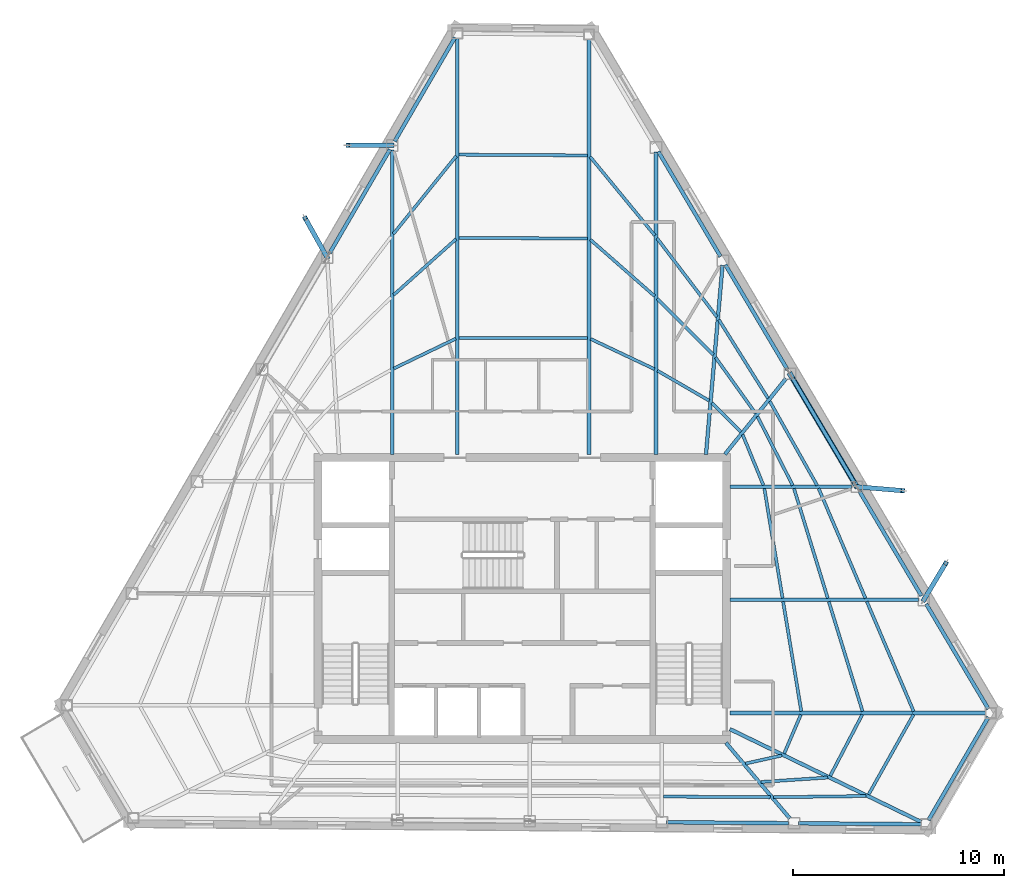
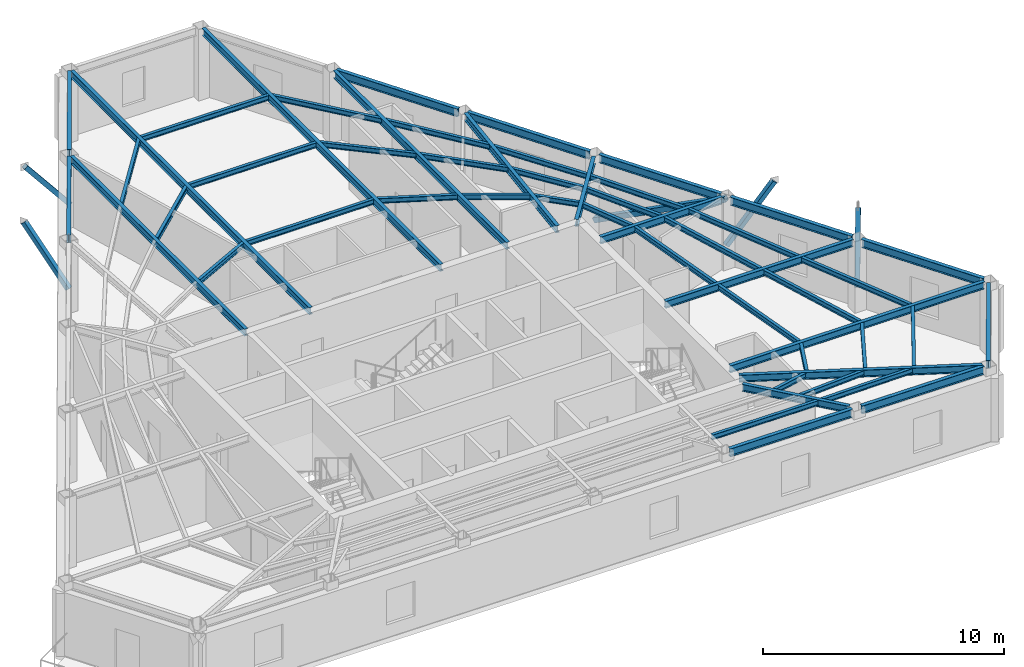
# One storey, part 2 of 10: 52 beams, 5 members.
"""IFC4 building model written with IfcOpenShell, lengths in metres."""

from ifc_helpers import new_model, si_unit, direction, frame, origin, origin_2d, place, context, subcontext, project, spatial, hollow_rectangle, i_section, extrude, material, material_profile, profile_set, type_object, element, save


model = new_model("IFC4")

# Units and contexts
model_context = context("Model", 3, precision=1e-05, world=origin(), true_north=direction((0.0, 1.0)))
body_context = subcontext(model_context, "Body", "Model", "MODEL_VIEW")
ifc_project = project(units=[si_unit("LENGTHUNIT", "METRE"), si_unit("AREAUNIT", "SQUARE_METRE"), si_unit("VOLUMEUNIT", "CUBIC_METRE"), si_unit("PLANEANGLEUNIT", "RADIAN"), si_unit("MASSUNIT", "GRAM", prefix="KILO")], contexts=[model_context])

# Site, building, storey
site_placement = place(None, origin())
site = spatial("IfcSite", under=ifc_project, at=site_placement, CompositionType="ELEMENT")
building_placement = place(site_placement, origin())
building = spatial("IfcBuilding", under=site, at=building_placement, Name="Kavelnor Concourse Tower", CompositionType="ELEMENT")
storey_placement = place(building_placement, frame((0.0, 0.0, 266.449951171875)))
storey = spatial("IfcBuildingStorey", under=building, at=storey_placement, Name="L67", CompositionType="ELEMENT", Elevation=266.449951171875)

# Beams
ifc_material = material(Name="Steel Grade 350", Category="steel")
ifc_material_profile_1 = material_profile(ifc_material, i_section(OverallWidth=0.14599609375, OverallDepth=0.256103515625, WebThickness=0.00634765625, FlangeThickness=0.010986328125, at=origin_2d()), Name="250UB37")
ifc_profile_set_1 = profile_set([ifc_material_profile_1], Name="Steel Grade 350")
beam_type_1 = type_object("IfcBeamType", Name="BM-JOIST-250", PredefinedType="JOIST", material=ifc_profile_set_1)
beam_1_placement = place(storey_placement, frame((44.714599609375, 6.69384765625, 3.48193359375), z_axis=(0.999981270377, -0.006120367293, 0.0), x_axis=(0.006120367293, 0.999981270377, 0.0)))
element("IfcBeam", 1, at=beam_1_placement, inside=storey, type_object=beam_type_1, Name="L67 Secondary Composite Joist 06-3", PredefinedType="JOIST", context=body_context, shape_type="SweptSolid", body=[
    extrude(i_section(OverallWidth=0.14599609375, OverallDepth=0.256103515625, WebThickness=0.00634765625, FlangeThickness=0.010986328125, at=origin_2d()), origin(), (0.0, 0.0, 1.0), 5.06591796875),
])
beam_2_placement = place(storey_placement, frame((48.606201171875, 8.26171875, 3.48193359375), z_axis=(0.976336486658, 0.21625694167, 0.0), x_axis=(-0.21625694167, 0.976336486658, 0.0)))
element("IfcBeam", 2, at=beam_2_placement, inside=storey, type_object=beam_type_1, Name="L67 Secondary Composite Joist 07-1", PredefinedType="JOIST", context=body_context, shape_type="SweptSolid", body=[
    extrude(i_section(OverallWidth=0.14599609375, OverallDepth=0.256103515625, WebThickness=0.00634765625, FlangeThickness=0.010986328125, at=origin_2d()), origin(), (0.0, 0.0, 1.0), 1.765625),
])
beam_3_placement = place(storey_placement, frame((49.3369140625, 7.38671875, 3.48193359375), z_axis=(0.99780853163, 0.066167470903, 0.0), x_axis=(-0.066167470903, 0.99780853163, 0.0)))
element("IfcBeam", 3, at=beam_3_placement, inside=storey, type_object=beam_type_1, Name="L67 Secondary Composite Joist 07-2", PredefinedType="JOIST", context=body_context, shape_type="SweptSolid", body=[
    extrude(i_section(OverallWidth=0.14599609375, OverallDepth=0.256103515625, WebThickness=0.00634765625, FlangeThickness=0.010986328125, at=origin_2d()), origin(), (0.0, 0.0, 1.0), 3.1806640625),
])
beam_4_placement = place(storey_placement, frame((49.944580078125, 6.663330078125, 3.48193359375), z_axis=(0.999918703458, 0.012750940143, 0.0), x_axis=(-0.012750940143, 0.999918703458, 0.0)))
element("IfcBeam", 4, at=beam_4_placement, inside=storey, type_object=beam_type_1, Name="L67 Secondary Composite Joist 07-3", PredefinedType="JOIST", context=body_context, shape_type="SweptSolid", body=[
    extrude(i_section(OverallWidth=0.14599609375, OverallDepth=0.256103515625, WebThickness=0.00634765625, FlangeThickness=0.010986328125, at=origin_2d()), origin(), (0.0, 0.0, 1.0), 4.384521484375),
])
beam_5_placement = place(storey_placement, frame((50.4423828125, 8.736572265625, 3.48193359375), z_axis=(0.394343803871, 0.918962983122, 0.0), x_axis=(-0.918962983122, 0.394343803871, 0.0)))
element("IfcBeam", 5, at=beam_5_placement, inside=storey, type_object=beam_type_1, Name="L67 Secondary Composite Joist 08-1", PredefinedType="JOIST", context=body_context, shape_type="SweptSolid", body=[
    extrude(i_section(OverallWidth=0.14599609375, OverallDepth=0.256103515625, WebThickness=0.00634765625, FlangeThickness=0.010986328125, at=origin_2d()), origin(), (0.0, 0.0, 1.0), 2.0126953125),
])
beam_6_placement = place(storey_placement, frame((52.63037109375, 7.67529296875, 3.48193359375), z_axis=(0.462977126102, 0.886370227787, 0.0), x_axis=(-0.886370227787, 0.462977126102, 0.0)))
element("IfcBeam", 6, at=beam_6_placement, inside=storey, type_object=beam_type_1, Name="L67 Secondary Composite Joist 08-2", PredefinedType="JOIST", context=body_context, shape_type="SweptSolid", body=[
    extrude(i_section(OverallWidth=0.14599609375, OverallDepth=0.256103515625, WebThickness=0.00634765625, FlangeThickness=0.010986328125, at=origin_2d()), origin(), (0.0, 0.0, 1.0), 3.287353515625),
])
beam_7_placement = place(storey_placement, frame((54.450927734375, 6.791748046875, 3.48193359375), z_axis=(0.489776937675, 0.871847779903, 0.0), x_axis=(-0.871847779903, 0.489776937675, 0.0)))
element("IfcBeam", 7, at=beam_7_placement, inside=storey, type_object=beam_type_1, Name="L67 Secondary Composite Joist 08-3", PredefinedType="JOIST", context=body_context, shape_type="SweptSolid", body=[
    extrude(i_section(OverallWidth=0.14599609375, OverallDepth=0.256103515625, WebThickness=0.00634765625, FlangeThickness=0.010986328125, at=origin_2d()), origin(), (0.0, 0.0, 1.0), 4.356689453125),
])
beam_8_placement = place(storey_placement, frame((51.255126953125, 10.74267578125, 3.48193359375), z_axis=(-0.163536685821, 0.986537253423, 0.0), x_axis=(-0.986537253423, -0.163536685821, 0.0)))
element("IfcBeam", 8, at=beam_8_placement, inside=storey, type_object=beam_type_1, Name="L67 Secondary Composite Joist 09-1", PredefinedType="JOIST", context=body_context, shape_type="SweptSolid", body=[
    extrude(i_section(OverallWidth=0.14599609375, OverallDepth=0.256103515625, WebThickness=0.00634765625, FlangeThickness=0.010986328125, at=origin_2d()), origin(), (0.0, 0.0, 1.0), 5.2802734375),
])
beam_9_placement = place(storey_placement, frame((54.166015625, 10.739990234375, 3.48193359375), z_axis=(-0.294221058779, 0.955737395193, 0.0), x_axis=(-0.955737395193, -0.294221058779, 0.0)))
element("IfcBeam", 9, at=beam_9_placement, inside=storey, type_object=beam_type_1, Name="L67 Secondary Composite Joist 09-2", PredefinedType="JOIST", context=body_context, shape_type="SweptSolid", body=[
    extrude(i_section(OverallWidth=0.14599609375, OverallDepth=0.256103515625, WebThickness=0.00634765625, FlangeThickness=0.010986328125, at=origin_2d()), origin(), (0.0, 0.0, 1.0), 5.455810546875),
])
beam_10_placement = place(storey_placement, frame((56.5927734375, 10.737060546875, 3.48193359375), z_axis=(-0.392147978817, 0.919902148443, 0.0), x_axis=(-0.919902148443, -0.392147978817, 0.0)))
element("IfcBeam", 10, at=beam_10_placement, inside=storey, type_object=beam_type_1, Name="L67 Secondary Composite Joist 09-3", PredefinedType="JOIST", context=body_context, shape_type="SweptSolid", body=[
    extrude(i_section(OverallWidth=0.14599609375, OverallDepth=0.256103515625, WebThickness=0.00634765625, FlangeThickness=0.010986328125, at=origin_2d()), origin(), (0.0, 0.0, 1.0), 5.6748046875),
])
beam_11_placement = place(storey_placement, frame((50.36474609375, 16.113525390625, 3.48193359375), z_axis=(-0.163536685821, 0.986537253423, 0.0), x_axis=(-0.986537253423, -0.163536685821, 0.0)))
element("IfcBeam", 11, at=beam_11_placement, inside=storey, type_object=beam_type_1, Name="L67 Secondary Composite Joist 10-1", PredefinedType="JOIST", context=body_context, shape_type="SweptSolid", body=[
    extrude(i_section(OverallWidth=0.14599609375, OverallDepth=0.256103515625, WebThickness=0.00634765625, FlangeThickness=0.010986328125, at=origin_2d()), origin(), (0.0, 0.0, 1.0), 5.2802734375),
])
beam_12_placement = place(storey_placement, frame((52.512451171875, 16.111083984375, 3.48193359375), z_axis=(-0.294274517833, 0.955720936338, 0.0), x_axis=(-0.955720936338, -0.294274517833, 0.0)))
element("IfcBeam", 12, at=beam_12_placement, inside=storey, type_object=beam_type_1, Name="L67 Secondary Composite Joist 10-2", PredefinedType="JOIST", context=body_context, shape_type="SweptSolid", body=[
    extrude(i_section(OverallWidth=0.14599609375, OverallDepth=0.256103515625, WebThickness=0.00634765625, FlangeThickness=0.010986328125, at=origin_2d()), origin(), (0.0, 0.0, 1.0), 5.45556640625),
])
beam_13_placement = place(storey_placement, frame((54.30322265625, 16.108154296875, 3.48193359375), z_axis=(-0.392147978817, 0.919902148443, 0.0), x_axis=(-0.919902148443, -0.392147978817, 0.0)))
element("IfcBeam", 13, at=beam_13_placement, inside=storey, type_object=beam_type_1, Name="L67 Secondary Composite Joist 10-3", PredefinedType="JOIST", context=body_context, shape_type="SweptSolid", body=[
    extrude(i_section(OverallWidth=0.14599609375, OverallDepth=0.256103515625, WebThickness=0.00634765625, FlangeThickness=0.010986328125, at=origin_2d()), origin(), (0.0, 0.0, 1.0), 5.6748046875),
])
beam_14_placement = place(storey_placement, frame((49.45654296875, 21.4794921875, 3.48193359375), z_axis=(-0.379793789357, 0.925071174324, 0.0), x_axis=(-0.925071174324, -0.379793789357, 0.0)))
element("IfcBeam", 14, at=beam_14_placement, inside=storey, type_object=beam_type_1, Name="L67 Secondary Composite Joist 11-1", PredefinedType="JOIST", context=body_context, shape_type="SweptSolid", body=[
    extrude(i_section(OverallWidth=0.14599609375, OverallDepth=0.256103515625, WebThickness=0.00634765625, FlangeThickness=0.010986328125, at=origin_2d()), origin(), (0.0, 0.0, 1.0), 2.594970703125),
])
beam_15_placement = place(storey_placement, frame((50.845703125, 21.476806640625, 3.48193359375), z_axis=(-0.455332434114, 0.890321500607, 0.0), x_axis=(-0.890321500607, -0.455332434114, 0.0)))
element("IfcBeam", 15, at=beam_15_placement, inside=storey, type_object=beam_type_1, Name="L67 Secondary Composite Joist 11-2", PredefinedType="JOIST", context=body_context, shape_type="SweptSolid", body=[
    extrude(i_section(OverallWidth=0.14599609375, OverallDepth=0.256103515625, WebThickness=0.00634765625, FlangeThickness=0.010986328125, at=origin_2d()), origin(), (0.0, 0.0, 1.0), 3.67236328125),
])
beam_16_placement = place(storey_placement, frame((52.005615234375, 21.47509765625, 3.48193359375), z_axis=(-0.490827783953, 0.871256613461, 0.0), x_axis=(-0.871256613461, -0.490827783953, 0.0)))
element("IfcBeam", 16, at=beam_16_placement, inside=storey, type_object=beam_type_1, Name="L67 Secondary Composite Joist 11-3", PredefinedType="JOIST", context=body_context, shape_type="SweptSolid", body=[
    extrude(i_section(OverallWidth=0.14599609375, OverallDepth=0.256103515625, WebThickness=0.00634765625, FlangeThickness=0.010986328125, at=origin_2d()), origin(), (0.0, 0.0, 1.0), 4.58203125),
])
beam_17_placement = place(storey_placement, frame((48.382080078125, 24.01416015625, 3.48193359375), z_axis=(-0.705102238226, 0.709105657606, 0.0), x_axis=(-0.709105657606, -0.705102238226, 0.0)))
element("IfcBeam", 17, at=beam_17_placement, inside=storey, type_object=beam_type_1, Name="L67 Secondary Composite Joist 12-1", PredefinedType="JOIST", context=body_context, shape_type="SweptSolid", body=[
    extrude(i_section(OverallWidth=0.14599609375, OverallDepth=0.256103515625, WebThickness=0.00634765625, FlangeThickness=0.010986328125, at=origin_2d()), origin(), (0.0, 0.0, 1.0), 1.951416015625),
])
beam_18_placement = place(storey_placement, frame((49.08837890625, 24.885986328125, 3.48193359375), z_axis=(-0.581972258556, 0.813208638832, 0.0), x_axis=(-0.813208638832, -0.581972258556, 0.0)))
element("IfcBeam", 18, at=beam_18_placement, inside=storey, type_object=beam_type_1, Name="L67 Secondary Composite Joist 12-2", PredefinedType="JOIST", context=body_context, shape_type="SweptSolid", body=[
    extrude(i_section(OverallWidth=0.14599609375, OverallDepth=0.256103515625, WebThickness=0.00634765625, FlangeThickness=0.010986328125, at=origin_2d()), origin(), (0.0, 0.0, 1.0), 3.27099609375),
])
beam_19_placement = place(storey_placement, frame((49.673095703125, 25.608154296875, 3.48193359375), z_axis=(-0.53048735898, 0.847692846474, 0.0), x_axis=(-0.847692846474, -0.53048735898, 0.0)))
element("IfcBeam", 19, at=beam_19_placement, inside=storey, type_object=beam_type_1, Name="L67 Secondary Composite Joist 12-3", PredefinedType="JOIST", context=body_context, shape_type="SweptSolid", body=[
    extrude(i_section(OverallWidth=0.14599609375, OverallDepth=0.256103515625, WebThickness=0.00634765625, FlangeThickness=0.010986328125, at=origin_2d()), origin(), (0.0, 0.0, 1.0), 4.40234375),
])
beam_20_placement = place(storey_placement, frame((46.87744140625, 25.497314453125, 3.48193359375), z_axis=(-0.865249363334, 0.501341738986, 0.0), x_axis=(-0.501341738986, -0.865249363334, 0.0)))
element("IfcBeam", 20, at=beam_20_placement, inside=storey, type_object=beam_type_1, Name="L67 Secondary Composite Joist 13-1", PredefinedType="JOIST", context=body_context, shape_type="SweptSolid", body=[
    extrude(i_section(OverallWidth=0.14599609375, OverallDepth=0.256103515625, WebThickness=0.00634765625, FlangeThickness=0.010986328125, at=origin_2d()), origin(), (0.0, 0.0, 1.0), 2.835205078125),
])
beam_21_placement = place(storey_placement, frame((47.0791015625, 27.670654296875, 3.48193359375), z_axis=(-0.705910626434, 0.708300915916, 0.0), x_axis=(-0.708300915916, -0.705910626434, 0.0)))
element("IfcBeam", 21, at=beam_21_placement, inside=storey, type_object=beam_type_1, Name="L67 Secondary Composite Joist 13-2", PredefinedType="JOIST", context=body_context, shape_type="SweptSolid", body=[
    extrude(i_section(OverallWidth=0.14599609375, OverallDepth=0.256103515625, WebThickness=0.00634765625, FlangeThickness=0.010986328125, at=origin_2d()), origin(), (0.0, 0.0, 1.0), 3.779052734375),
])
beam_22_placement = place(storey_placement, frame((47.244384765625, 29.474853515625, 3.48193359375), z_axis=(-0.605262588184, 0.796025878565, 0.0), x_axis=(-0.796025878565, -0.605262588184, 0.0)))
element("IfcBeam", 22, at=beam_22_placement, inside=storey, type_object=beam_type_1, Name="L67 Secondary Composite Joist 13-3", PredefinedType="JOIST", context=body_context, shape_type="SweptSolid", body=[
    extrude(i_section(OverallWidth=0.14599609375, OverallDepth=0.256103515625, WebThickness=0.00634765625, FlangeThickness=0.010986328125, at=origin_2d()), origin(), (0.0, 0.0, 1.0), 4.6943359375),
])
beam_23_placement = place(storey_placement, frame((44.279296875, 26.994873046875, 3.48193359375), z_axis=(-0.903997075176, 0.427538639274, 0.0), x_axis=(-0.427538639274, -0.903997075176, 0.0)))
element("IfcBeam", 23, at=beam_23_placement, inside=storey, type_object=beam_type_1, Name="L67 Secondary Composite Joist 14-1", PredefinedType="JOIST", context=body_context, shape_type="SweptSolid", body=[
    extrude(i_section(OverallWidth=0.14599609375, OverallDepth=0.256103515625, WebThickness=0.00634765625, FlangeThickness=0.010986328125, at=origin_2d()), origin(), (0.0, 0.0, 1.0), 3.353759765625),
])
beam_24_placement = place(storey_placement, frame((44.291748046875, 30.459716796875, 3.48193359375), z_axis=(-0.751356036185, 0.659897042643, 0.0), x_axis=(-0.659897042643, -0.751356036185, 0.0)))
element("IfcBeam", 24, at=beam_24_placement, inside=storey, type_object=beam_type_1, Name="L67 Secondary Composite Joist 14-2", PredefinedType="JOIST", context=body_context, shape_type="SweptSolid", body=[
    extrude(i_section(OverallWidth=0.14599609375, OverallDepth=0.256103515625, WebThickness=0.00634765625, FlangeThickness=0.010986328125, at=origin_2d()), origin(), (0.0, 0.0, 1.0), 4.068115234375),
])
beam_25_placement = place(storey_placement, frame((44.30126953125, 33.340087890625, 3.48193359375), z_axis=(-0.635127457728, 0.772407348774, 0.0), x_axis=(-0.772407348774, -0.635127457728, 0.0)))
element("IfcBeam", 25, at=beam_25_placement, inside=storey, type_object=beam_type_1, Name="L67 Secondary Composite Joist 14-3", PredefinedType="JOIST", context=body_context, shape_type="SweptSolid", body=[
    extrude(i_section(OverallWidth=0.14599609375, OverallDepth=0.256103515625, WebThickness=0.00634765625, FlangeThickness=0.010986328125, at=origin_2d()), origin(), (0.0, 0.0, 1.0), 4.842529296875),
])
for number, where, z_axis, x_axis, name in (
    (26, (41.09130859375, 28.4638671875, 3.48193359375), (-0.999997478922, 0.002245473308, 0.0), (-0.002245473308, -0.999997478922, 0.0), "L67 Secondary Composite Joist 15-1"),
    (27, (41.09130859375, 33.19873046875, 3.48193359375), (-0.999991304933, 0.004170138968, 0.0), (-0.004170138968, -0.999991304933, 0.0), "L67 Secondary Composite Joist 15-2"),
    (28, (41.09130859375, 37.144287109375, 3.48193359375), (-0.999983330366, 0.005773992525, 0.0), (-0.005773992525, -0.999983330366, 0.0), "L67 Secondary Composite Joist 15-3"),
):
    element("IfcBeam", number, at=place(storey_placement, frame(where, z_axis=z_axis, x_axis=x_axis)), inside=storey, type_object=beam_type_1, Name=name, PredefinedType="JOIST", context=body_context, shape_type="SweptSolid", body=[
        extrude(i_section(OverallWidth=0.14599609375, OverallDepth=0.256103515625, WebThickness=0.00634765625, FlangeThickness=0.010986328125, at=origin_2d()), origin(), (0.0, 0.0, 1.0), 6.088623046875),
    ])
beam_26_placement = place(storey_placement, frame((34.8466796875, 28.442138671875, 3.48193359375), z_axis=(-0.900948665967, -0.43392568637, 0.0), x_axis=(0.43392568637, -0.900948665967, 0.0)))
element("IfcBeam", 29, at=beam_26_placement, inside=storey, type_object=beam_type_1, Name="L67 Secondary Composite Joist 16-1", PredefinedType="JOIST", context=body_context, shape_type="SweptSolid", body=[
    extrude(i_section(OverallWidth=0.14599609375, OverallDepth=0.256103515625, WebThickness=0.00634765625, FlangeThickness=0.010986328125, at=origin_2d()), origin(), (0.0, 0.0, 1.0), 3.267822265625),
])
beam_27_placement = place(storey_placement, frame((34.859619140625, 33.169677734375, 3.48193359375), z_axis=(-0.745319831543, -0.666707093639, 0.0), x_axis=(0.666707093639, -0.745319831543, 0.0)))
element("IfcBeam", 30, at=beam_27_placement, inside=storey, type_object=beam_type_1, Name="L67 Secondary Composite Joist 16-2", PredefinedType="JOIST", context=body_context, shape_type="SweptSolid", body=[
    extrude(i_section(OverallWidth=0.14599609375, OverallDepth=0.256103515625, WebThickness=0.00634765625, FlangeThickness=0.010986328125, at=origin_2d()), origin(), (0.0, 0.0, 1.0), 3.984619140625),
])
beam_28_placement = place(storey_placement, frame((34.869140625, 37.1162109375, 3.48193359375), z_axis=(-0.628180627062, -0.778067541916, 0.0), x_axis=(0.778067541916, -0.628180627062, 0.0)))
element("IfcBeam", 31, at=beam_28_placement, inside=storey, type_object=beam_type_1, Name="L67 Secondary Composite Joist 16-3", PredefinedType="JOIST", context=body_context, shape_type="SweptSolid", body=[
    extrude(i_section(OverallWidth=0.14599609375, OverallDepth=0.256103515625, WebThickness=0.00634765625, FlangeThickness=0.010986328125, at=origin_2d()), origin(), (0.0, 0.0, 1.0), 4.7578125),
])
ifc_material_profile_2 = material_profile(ifc_material, i_section(OverallWidth=0.172119140625, OverallDepth=0.35888671875, WebThickness=0.008056640625, FlangeThickness=0.012939453125, at=origin_2d()), Name="360UB56")
ifc_profile_set_2 = profile_set([ifc_material_profile_2], Name="Steel Grade 350")
beam_type_2 = type_object("IfcBeamType", Name="BM-PRIMARY-360", PredefinedType="BEAM", material=ifc_profile_set_2)
beam_29_placement = place(storey_placement, frame((34.920654296875, 22.93994140625, 3.4306640625), z_axis=(0.0, 1.0, 0.0), x_axis=(-1.0, 0.0, 0.0)))
element("IfcBeam", 32, at=beam_29_placement, inside=storey, type_object=beam_type_2, Name="L67 Primary Floor Girder F0-B0", PredefinedType="BEAM", context=body_context, shape_type="SweptSolid", body=[
    extrude(i_section(OverallWidth=0.172119140625, OverallDepth=0.35888671875, WebThickness=0.008056640625, FlangeThickness=0.012939453125, at=origin_2d()), origin(), (0.0, 0.0, 1.0), 19.77783203125),
])
beam_30_placement = place(storey_placement, frame((31.828857421875, 22.93994140625, 3.4306640625), z_axis=(0.0, 1.0, 0.0), x_axis=(-1.0, 0.0, 0.0)))
element("IfcBeam", 33, at=beam_30_placement, inside=storey, type_object=beam_type_2, Name="L67 Primary Floor Girder F0-B1", PredefinedType="BEAM", context=body_context, shape_type="SweptSolid", body=[
    extrude(i_section(OverallWidth=0.172119140625, OverallDepth=0.35888671875, WebThickness=0.008056640625, FlangeThickness=0.012939453125, at=origin_2d()), origin(), (0.0, 0.0, 1.0), 14.458984375),
])
beam_31_placement = place(storey_placement, frame((47.67578125, 9.25048828125, 3.4306640625), z_axis=(0.645374614215, -0.763866223449, 0.0), x_axis=(0.763866223449, 0.645374614215, 0.0)))
element("IfcBeam", 34, at=beam_31_placement, inside=storey, type_object=beam_type_2, Name="L67 Primary Floor Girder F1-B5", PredefinedType="BEAM", context=body_context, shape_type="SweptSolid", body=[
    extrude(i_section(OverallWidth=0.172119140625, OverallDepth=0.35888671875, WebThickness=0.008056640625, FlangeThickness=0.012939453125, at=origin_2d()), origin(), (0.0, 0.0, 1.0), 4.7060546875),
])
beam_32_placement = place(storey_placement, frame((47.864013671875, 9.896484375, 3.4306640625), z_axis=(0.899706890781, -0.436494571193, 0.0), x_axis=(0.436494571193, 0.899706890781, 0.0)))
element("IfcBeam", 35, at=beam_32_placement, inside=storey, type_object=beam_type_2, Name="L67 Primary Floor Girder F1-B6", PredefinedType="BEAM", context=body_context, shape_type="SweptSolid", body=[
    extrude(i_section(OverallWidth=0.172119140625, OverallDepth=0.35888671875, WebThickness=0.008056640625, FlangeThickness=0.012939453125, at=origin_2d()), origin(), (0.0, 0.0, 1.0), 10.1064453125),
])
beam_33_placement = place(storey_placement, frame((47.860107421875, 10.66162109375, 3.4306640625), z_axis=(1.0, 0.0, 0.0), x_axis=(0.0, 1.0, 0.0)))
element("IfcBeam", 36, at=beam_33_placement, inside=storey, type_object=beam_type_2, Name="L67 Primary Floor Girder F2-B0", PredefinedType="BEAM", context=body_context, shape_type="SweptSolid", body=[
    extrude(i_section(OverallWidth=0.172119140625, OverallDepth=0.35888671875, WebThickness=0.008056640625, FlangeThickness=0.012939453125, at=origin_2d()), origin(), (0.0, 0.0, 1.0), 12.17333984375),
])
beam_34_placement = place(storey_placement, frame((47.860107421875, 16.03271484375, 3.4306640625), z_axis=(1.0, 0.0, 0.0), x_axis=(0.0, 1.0, 0.0)))
element("IfcBeam", 37, at=beam_34_placement, inside=storey, type_object=beam_type_2, Name="L67 Primary Floor Girder F2-B1", PredefinedType="BEAM", context=body_context, shape_type="SweptSolid", body=[
    extrude(i_section(OverallWidth=0.172119140625, OverallDepth=0.35888671875, WebThickness=0.008056640625, FlangeThickness=0.012939453125, at=origin_2d()), origin(), (0.0, 0.0, 1.0), 8.993408203125),
])
beam_35_placement = place(storey_placement, frame((47.860107421875, 21.40380859375, 3.4306640625), z_axis=(1.0, 0.0, 0.0), x_axis=(0.0, 1.0, 0.0)))
element("IfcBeam", 38, at=beam_35_placement, inside=storey, type_object=beam_type_2, Name="L67 Primary Floor Girder F2-B2", PredefinedType="BEAM", context=body_context, shape_type="SweptSolid", body=[
    extrude(i_section(OverallWidth=0.172119140625, OverallDepth=0.35888671875, WebThickness=0.008056640625, FlangeThickness=0.012939453125, at=origin_2d()), origin(), (0.0, 0.0, 1.0), 5.8134765625),
])
beam_36_placement = place(storey_placement, frame((47.62744140625, 22.948974609375, 3.4306640625), z_axis=(0.627834024757, 0.778347247286, 0.0), x_axis=(-0.778347247286, 0.627834024757, 0.0)))
element("IfcBeam", 39, at=beam_36_placement, inside=storey, type_object=beam_type_2, Name="L67 Primary Floor Girder F2-B3", PredefinedType="BEAM", context=body_context, shape_type="SweptSolid", body=[
    extrude(i_section(OverallWidth=0.172119140625, OverallDepth=0.35888671875, WebThickness=0.008056640625, FlangeThickness=0.012939453125, at=origin_2d()), origin(), (0.0, 0.0, 1.0), 4.621337890625),
])
beam_37_placement = place(storey_placement, frame((46.728515625, 22.940185546875, 3.4306640625), z_axis=(0.087103824343, 0.996199239, 0.0), x_axis=(-0.996199239, 0.087103824343, 0.0)))
element("IfcBeam", 40, at=beam_37_placement, inside=storey, type_object=beam_type_2, Name="L67 Primary Floor Girder F2-B4", PredefinedType="BEAM", context=body_context, shape_type="SweptSolid", body=[
    extrude(i_section(OverallWidth=0.172119140625, OverallDepth=0.35888671875, WebThickness=0.008056640625, FlangeThickness=0.012939453125, at=origin_2d()), origin(), (0.0, 0.0, 1.0), 9.01953125),
])
beam_38_placement = place(storey_placement, frame((44.353515625, 22.93994140625, 3.4306640625), z_axis=(0.0, 1.0, 0.0), x_axis=(-1.0, 0.0, 0.0)))
element("IfcBeam", 41, at=beam_38_placement, inside=storey, type_object=beam_type_2, Name="L67 Primary Floor Girder F2-B5", PredefinedType="BEAM", context=body_context, shape_type="SweptSolid", body=[
    extrude(i_section(OverallWidth=0.172119140625, OverallDepth=0.35888671875, WebThickness=0.008056640625, FlangeThickness=0.012939453125, at=origin_2d()), origin(), (0.0, 0.0, 1.0), 14.356689453125),
])
beam_39_placement = place(storey_placement, frame((41.17333984375, 22.93994140625, 3.4306640625), z_axis=(0.0, 1.0, 0.0), x_axis=(-1.0, 0.0, 0.0)))
element("IfcBeam", 42, at=beam_39_placement, inside=storey, type_object=beam_type_2, Name="L67 Primary Floor Girder F2-B6", PredefinedType="BEAM", context=body_context, shape_type="SweptSolid", body=[
    extrude(i_section(OverallWidth=0.172119140625, OverallDepth=0.35888671875, WebThickness=0.008056640625, FlangeThickness=0.012939453125, at=origin_2d()), origin(), (0.0, 0.0, 1.0), 19.727783203125),
])
ifc_material_profile_3 = material_profile(ifc_material, i_section(OverallWidth=0.177978515625, OverallDepth=0.406005859375, WebThickness=0.0078125, FlangeThickness=0.0126953125, at=origin_2d()), Name="410UB59")
ifc_profile_set_3 = profile_set([ifc_material_profile_3], Name="Steel Grade 350")
beam_type_3 = type_object("IfcBeamType", Name="BM-SPANDREL-Z4", PredefinedType="SPANDREL", material=ifc_profile_set_3)
for number, where, z_axis, x_axis, name in (
    (43, (34.8076171875, 42.7431640625, 3.406982421875), (-0.502571341319, -0.864535740664, 0.0), (0.864535740664, -0.502571341319, 0.0), "L67 Perimeter Tube Spandrel Beam F0-B0"),
    (44, (31.7158203125, 37.424560546875, 3.406982421875), (-0.502571341319, -0.864535740664, 0.0), (0.864535740664, -0.502571341319, 0.0), "L67 Perimeter Tube Spandrel Beam F0-B1"),
):
    element("IfcBeam", number, at=place(storey_placement, frame(where, z_axis=z_axis, x_axis=x_axis)), inside=storey, type_object=beam_type_3, Name=name, PredefinedType="SPANDREL", context=body_context, shape_type="SweptSolid", body=[
        extrude(i_section(OverallWidth=0.177978515625, OverallDepth=0.406005859375, WebThickness=0.0078125, FlangeThickness=0.0126953125, at=origin_2d()), origin(), (0.0, 0.0, 1.0), 5.7021484375),
    ])
beam_40_placement = place(storey_placement, frame((44.857666015625, 5.474853515625, 3.406982421875), z_axis=(0.999967950548, -0.008006114963, 0.0), x_axis=(0.008006114963, 0.999967950548, 0.0)))
element("IfcBeam", 45, at=beam_40_placement, inside=storey, type_object=beam_type_3, Name="L67 Perimeter Tube Spandrel Beam F1-B4", PredefinedType="SPANDREL", context=body_context, shape_type="SweptSolid", body=[
    extrude(i_section(OverallWidth=0.177978515625, OverallDepth=0.406005859375, WebThickness=0.0078125, FlangeThickness=0.0126953125, at=origin_2d()), origin(), (0.0, 0.0, 1.0), 5.824462890625),
])
beam_41_placement = place(storey_placement, frame((51.1318359375, 5.424560546875, 3.406982421875), z_axis=(0.999968282591, -0.007964534634, 0.0), x_axis=(0.007964534634, 0.999968282591, 0.0)))
element("IfcBeam", 46, at=beam_41_placement, inside=storey, type_object=beam_type_3, Name="L67 Perimeter Tube Spandrel Beam F1-B5", PredefinedType="SPANDREL", context=body_context, shape_type="SweptSolid", body=[
    extrude(i_section(OverallWidth=0.177978515625, OverallDepth=0.406005859375, WebThickness=0.0078125, FlangeThickness=0.0126953125, at=origin_2d()), origin(), (0.0, 0.0, 1.0), 5.82421875),
])
for number, where, z_axis, x_axis, name in (
    (47, (60.138916015625, 10.855224609375, 3.406982421875), (-0.50948461488, 0.860479765712, 0.0), (-0.860479765712, -0.50948461488, 0.0), "L67 Perimeter Tube Spandrel Beam F2-B0"),
    (48, (56.958984375, 16.226318359375, 3.406982421875), (-0.50948461488, 0.860479765712, 0.0), (-0.860479765712, -0.50948461488, 0.0), "L67 Perimeter Tube Spandrel Beam F2-B1"),
):
    element("IfcBeam", number, at=place(storey_placement, frame(where, z_axis=z_axis, x_axis=x_axis)), inside=storey, type_object=beam_type_3, Name=name, PredefinedType="SPANDREL", context=body_context, shape_type="SweptSolid", body=[
        extrude(i_section(OverallWidth=0.177978515625, OverallDepth=0.406005859375, WebThickness=0.0078125, FlangeThickness=0.0126953125, at=origin_2d()), origin(), (0.0, 0.0, 1.0), 5.7919921875),
    ])
beam_42_placement = place(storey_placement, frame((53.77880859375, 21.597412109375, 3.406982421875), z_axis=(-0.509471883329, 0.860487303856, 0.0), x_axis=(-0.860487303856, -0.509471883329, 0.0)))
element("IfcBeam", 49, at=beam_42_placement, inside=storey, type_object=beam_type_3, Name="L67 Perimeter Tube Spandrel Beam F2-B2", PredefinedType="SPANDREL", context=body_context, shape_type="SweptSolid", body=[
    extrude(i_section(OverallWidth=0.177978515625, OverallDepth=0.406005859375, WebThickness=0.0078125, FlangeThickness=0.0126953125, at=origin_2d()), origin(), (0.0, 0.0, 1.0), 5.791748046875),
])
beam_43_placement = place(storey_placement, frame((50.598876953125, 26.96826171875, 3.406982421875), z_axis=(-0.50948461488, 0.860479765712, 0.0), x_axis=(-0.860479765712, -0.50948461488, 0.0)))
element("IfcBeam", 50, at=beam_43_placement, inside=storey, type_object=beam_type_3, Name="L67 Perimeter Tube Spandrel Beam F2-B3", PredefinedType="SPANDREL", context=body_context, shape_type="SweptSolid", body=[
    extrude(i_section(OverallWidth=0.177978515625, OverallDepth=0.406005859375, WebThickness=0.0078125, FlangeThickness=0.0126953125, at=origin_2d()), origin(), (0.0, 0.0, 1.0), 5.7919921875),
])
beam_44_placement = place(storey_placement, frame((47.418701171875, 32.33935546875, 3.406982421875), z_axis=(-0.509471883329, 0.860487303856, 0.0), x_axis=(-0.860487303856, -0.509471883329, 0.0)))
element("IfcBeam", 51, at=beam_44_placement, inside=storey, type_object=beam_type_3, Name="L67 Perimeter Tube Spandrel Beam F2-B4", PredefinedType="SPANDREL", context=body_context, shape_type="SweptSolid", body=[
    extrude(i_section(OverallWidth=0.177978515625, OverallDepth=0.406005859375, WebThickness=0.0078125, FlangeThickness=0.0126953125, at=origin_2d()), origin(), (0.0, 0.0, 1.0), 5.791748046875),
])
beam_45_placement = place(storey_placement, frame((57.2939453125, 5.57080078125, 3.406982421875), z_axis=(0.50257325604, 0.864534627596, 0.0), x_axis=(-0.864534627596, 0.50257325604, 0.0)))
element("IfcBeam", 52, at=beam_45_placement, inside=storey, type_object=beam_type_3, Name="L67 Chamfer Facet Spandrel Beam C2", PredefinedType="SPANDREL", context=body_context, shape_type="SweptSolid", body=[
    extrude(i_section(OverallWidth=0.177978515625, OverallDepth=0.406005859375, WebThickness=0.0078125, FlangeThickness=0.0126953125, at=origin_2d()), origin(), (0.0, 0.0, 1.0), 5.663818359375),
])

# Members
ifc_material_profile_4 = material_profile(ifc_material, hollow_rectangle(XDim=0.219970703125, YDim=0.219970703125, WallThickness=0.013916015625, at=origin_2d()), Name="SHS 220x220x14")
ifc_profile_set_4 = profile_set([ifc_material_profile_4], Name="Steel Grade 350")
member_type_1 = type_object("IfcMemberType", Name="MBR-BALC-STRUT-220", PredefinedType="STRUT", material=ifc_profile_set_4)
member_1_placement = place(storey_placement, frame((57.073486328125, 16.03271484375, 1.050048828125), z_axis=(0.316822709112, 0.528456145045, 0.787627750752), x_axis=(-0.857672578514, 0.51419621553, 0.0)))
element("IfcMember", 53, at=member_1_placement, inside=storey, type_object=member_type_1, Name="L67 Tree Balcony Raking Knee Strut 1-A", PredefinedType="STRUT", context=body_context, shape_type="SweptSolid", body=[
    extrude(hollow_rectangle(XDim=0.219970703125, YDim=0.219970703125, WallThickness=0.013916015625, at=origin_2d()), origin(), (0.0, 0.0, 1.0), 3.307373046875),
])
member_2_placement = place(storey_placement, frame((53.8935546875, 21.40380859375, 1.050048828125), z_axis=(0.642278335926, -0.053529166232, 0.764600004946), x_axis=(0.083054681311, 0.996544991414, 0.0)))
element("IfcMember", 54, at=member_2_placement, inside=storey, type_object=member_type_1, Name="L67 Tree Balcony Raking Knee Strut 1-B", PredefinedType="STRUT", context=body_context, shape_type="SweptSolid", body=[
    extrude(hollow_rectangle(XDim=0.219970703125, YDim=0.219970703125, WallThickness=0.013916015625, at=origin_2d()), origin(), (0.0, 0.0, 1.0), 3.406982421875),
])
member_3_placement = place(storey_placement, frame((31.828857421875, 37.618896484375, 1.050048828125), z_axis=(-0.630837675368, 0.002036133131, 0.775912160942), x_axis=(-0.003227648894, -0.999994791128, 0.0)))
element("IfcMember", 55, at=member_3_placement, inside=storey, type_object=member_type_1, Name="L67 Tree Balcony Raking Knee Strut 2-A", PredefinedType="STRUT", context=body_context, shape_type="SweptSolid", body=[
    extrude(hollow_rectangle(XDim=0.219970703125, YDim=0.219970703125, WallThickness=0.013916015625, at=origin_2d()), origin(), (0.0, 0.0, 1.0), 3.357421875),
])
member_4_placement = place(storey_placement, frame((28.73681640625, 32.30029296875, 1.050048828125), z_axis=(-0.31098135649, 0.555313524072, 0.771308943224), x_axis=(-0.872502142391, -0.488610285937, 0.0)))
element("IfcMember", 56, at=member_4_placement, inside=storey, type_object=member_type_1, Name="L67 Tree Balcony Raking Knee Strut 2-B", PredefinedType="STRUT", context=body_context, shape_type="SweptSolid", body=[
    extrude(hollow_rectangle(XDim=0.219970703125, YDim=0.219970703125, WallThickness=0.013916015625, at=origin_2d()), origin(), (0.0, 0.0, 1.0), 3.37744140625),
])
ifc_material_profile_5 = material_profile(ifc_material, hollow_rectangle(XDim=0.25, YDim=0.25, WallThickness=0.01611328125, at=origin_2d()), Name="SHS 250x250x16")
ifc_profile_set_5 = profile_set([ifc_material_profile_5], Name="Steel Grade 350")
member_type_2 = type_object("IfcMemberType", Name="MBR-TUBE-DIAG-Z4", PredefinedType="BRACE", material=ifc_profile_set_5)
member_5_placement = place(storey_placement, frame((50.71337890625, 26.774658203125, 0.219970703125), z_axis=(0.453771310538, -0.766353067752, 0.454746713325), x_axis=(0.860470650788, 0.509500008962, 0.0)))
element("IfcMember", 57, at=member_5_placement, inside=storey, type_object=member_type_2, Name="L67 Framed-Tube Bracing Diagonal F2-B2", PredefinedType="BRACE", context=body_context, shape_type="SweptSolid", body=[
    extrude(hollow_rectangle(XDim=0.25, YDim=0.25, WallThickness=0.01611328125, at=origin_2d()), origin(), (0.0, 0.0, 1.0), 7.00830078125),
])

save(model, "model.ifc")
